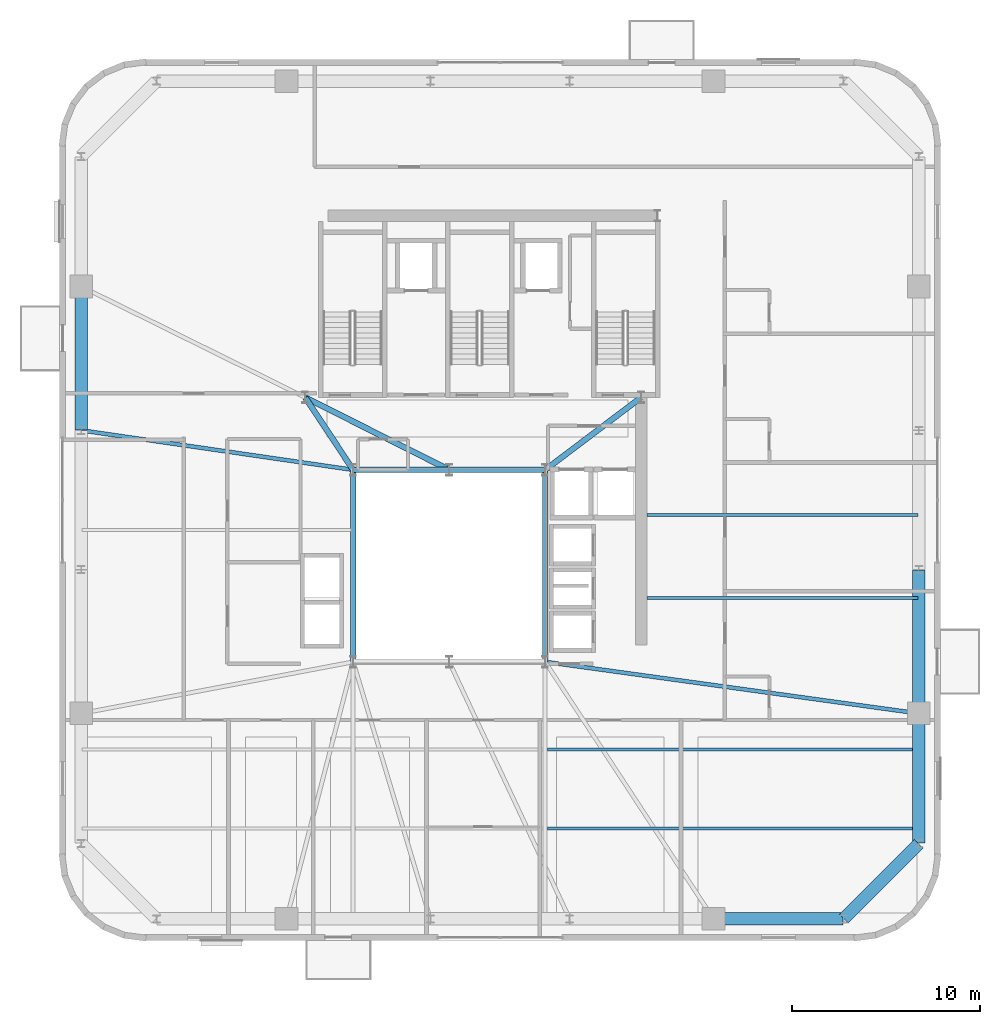
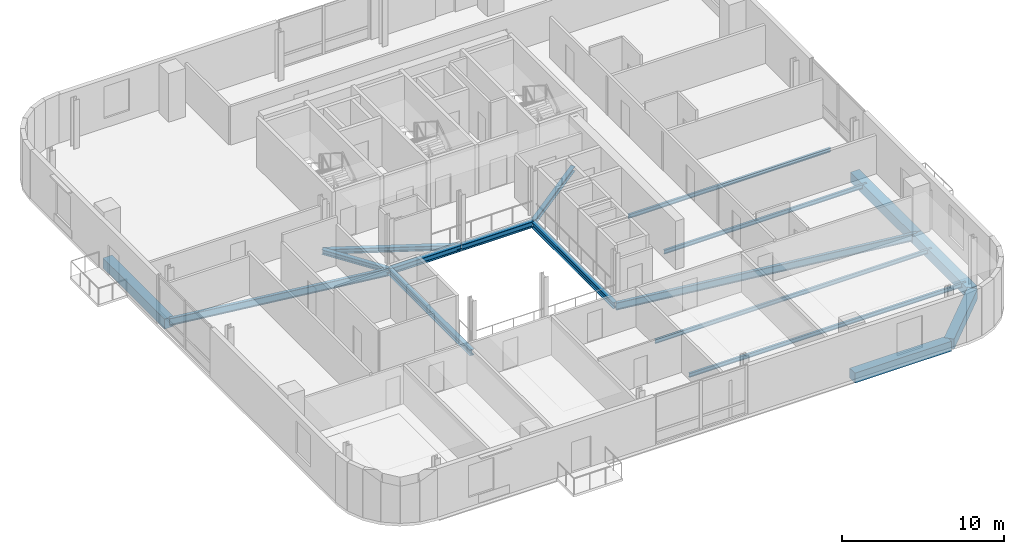
# One storey, part 4 of 15: 18 beams.
"""IFC4 building model written with IfcOpenShell, lengths in metres."""

from ifc_helpers import new_model, si_unit, direction, frame, origin, origin_2d, place, context, subcontext, project, spatial, rectangle, i_section, extrude, source, transform, mapped, material, material_profile, profile_set, type_object, element, save


model = new_model("IFC4")

# Units and contexts
model_context = context("Model", 3, precision=1e-05, world=origin(), true_north=direction((0.0, 1.0)))
body_context = subcontext(model_context, "Body", "Model", "MODEL_VIEW")
ifc_project = project(units=[si_unit("LENGTHUNIT", "METRE"), si_unit("AREAUNIT", "SQUARE_METRE"), si_unit("VOLUMEUNIT", "CUBIC_METRE"), si_unit("PLANEANGLEUNIT", "RADIAN"), si_unit("MASSUNIT", "GRAM", prefix="KILO")], contexts=[model_context])

# Site, building, storey
site_placement = place(None, origin())
site = spatial("IfcSite", under=ifc_project, at=site_placement, CompositionType="ELEMENT")
building_placement = place(site_placement, origin())
building = spatial("IfcBuilding", under=site, at=building_placement, Name="Vardaveli Station Tower", CompositionType="ELEMENT")
storey_placement = place(building_placement, frame((0.0, 0.0, 250.60009765625)))
storey = spatial("IfcBuildingStorey", under=building, at=storey_placement, Name="L64", CompositionType="ELEMENT", Elevation=250.60009765625)

# Beams
ifc_material_1 = material(Name="Structural steel S355J2", Category="steel")
ifc_material_profile_1 = material_profile(ifc_material_1, i_section(OverallWidth=0.300048828125, OverallDepth=0.449951171875, WebThickness=0.013916015625, FlangeThickness=0.02587890625, FilletRadius=0.027099609375, at=origin_2d()), Name="HEB 450")
ifc_profile_set_1 = profile_set([ifc_material_profile_1], Name="Structural steel S355J2")
beam_type_1 = type_object("IfcBeamType", Name="BM-HEB450", PredefinedType="BEAM", material=ifc_profile_set_1)
shared_shape_1 = source(origin(), body_context, "Body", "SweptSolid", [
    extrude(i_section(OverallWidth=0.300048828125, OverallDepth=0.449951171875, WebThickness=0.013916015625, FlangeThickness=0.02587890625, FilletRadius=0.027099609375, at=origin_2d()), origin(), (0.0, 0.0, 1.0), 5.06005859375),
])
beam_1_placement = place(storey_placement, frame((36.280029296875, 26.800048828125, -0.445068359375), z_axis=(-1.0, 0.0, 0.0), x_axis=(0.0, -1.0, 0.0)))
element("IfcBeam", 1, at=beam_1_placement, inside=storey, type_object=beam_type_1, Name="ABM-L64-05", PredefinedType="BEAM", context=body_context, shape_type="MappedRepresentation", body=[
    mapped(shared_shape_1, transform((0.0, 0.0, 0.0), scale=1.0)),
])
shared_shape_2 = source(origin(), body_context, "Body", "SweptSolid", [
    extrude(i_section(OverallWidth=0.300048828125, OverallDepth=0.449951171875, WebThickness=0.013916015625, FlangeThickness=0.02587890625, FilletRadius=0.027099609375, at=origin_2d()), origin(), (0.0, 0.0, 1.0), 5.059814453125),
])
beam_2_placement = place(storey_placement, frame((41.3798828125, 26.800048828125, -0.445068359375), z_axis=(-1.0, 0.0, 0.0), x_axis=(0.0, -1.0, 0.0)))
element("IfcBeam", 2, at=beam_2_placement, inside=storey, type_object=beam_type_1, Name="ABM-L64-04", PredefinedType="BEAM", context=body_context, shape_type="MappedRepresentation", body=[
    mapped(shared_shape_2, transform((0.0, 0.0, 0.0), scale=1.0)),
])
shared_shape_3 = source(origin(), body_context, "Body", "SweptSolid", [
    extrude(i_section(OverallWidth=0.300048828125, OverallDepth=0.449951171875, WebThickness=0.013916015625, FlangeThickness=0.02587890625, FilletRadius=0.027099609375, at=origin_2d()), origin(), (0.0, 0.0, 1.0), 10.159912109375),
])
for number, where, z_axis, x_axis, name in (
    (3, (41.39990234375, 16.6201171875, -0.445068359375), (0.0, 1.0, 0.0), (-1.0, 0.0, 0.0), "ABM-L64-03"),
    (4, (31.199951171875, 26.780029296875, -0.445068359375), (0.0, -1.0, 0.0), (1.0, 0.0, 0.0), "ABM-L64-06"),
):
    element("IfcBeam", number, at=place(storey_placement, frame(where, z_axis=z_axis, x_axis=x_axis)), inside=storey, type_object=beam_type_1, Name=name, PredefinedType="BEAM", context=body_context, shape_type="MappedRepresentation", body=[
        mapped(shared_shape_3, transform((0.0, 0.0, 0.0), scale=1.0)),
    ])
ifc_material_profile_2 = material_profile(ifc_material_1, i_section(OverallWidth=0.300048828125, OverallDepth=0.360107421875, WebThickness=0.012451171875, FlangeThickness=0.0224609375, FilletRadius=0.027099609375, at=origin_2d()), Name="HEB 360")
ifc_profile_set_2 = profile_set([ifc_material_profile_2], Name="Structural steel S355J2")
beam_type_2 = type_object("IfcBeamType", Name="BM-HEB360", PredefinedType="BEAM", material=ifc_profile_set_2)
shared_shape_4 = source(origin(), body_context, "Body", "SweptSolid", [
    extrude(i_section(OverallWidth=0.300048828125, OverallDepth=0.360107421875, WebThickness=0.012451171875, FlangeThickness=0.0224609375, FilletRadius=0.027099609375, at=origin_2d()), origin(), (0.0, 0.0, 1.0), 4.577880859375),
])
beam_3_placement = place(storey_placement, frame((31.18896484375, 26.816650390625, -0.400146484375), z_axis=(-0.55218702139, 0.833720272879, 0.0), x_axis=(-0.833720272879, -0.55218702139, 0.0)))
element("IfcBeam", 5, at=beam_3_placement, inside=storey, type_object=beam_type_2, Name="CBM-L64-01", PredefinedType="BEAM", context=body_context, shape_type="MappedRepresentation", body=[
    mapped(shared_shape_4, transform((0.0, 0.0, 0.0), scale=1.0)),
])
shared_shape_5 = source(origin(), body_context, "Body", "SweptSolid", [
    extrude(i_section(OverallWidth=0.300048828125, OverallDepth=0.360107421875, WebThickness=0.012451171875, FlangeThickness=0.0224609375, FilletRadius=0.027099609375, at=origin_2d()), origin(), (0.0, 0.0, 1.0), 6.35009765625),
])
beam_4_placement = place(storey_placement, frame((41.416015625, 26.81201171875, -0.400146484375), z_axis=(0.798118337722, 0.602500721154, 0.0), x_axis=(-0.602500721154, 0.798118337722, 0.0)))
element("IfcBeam", 6, at=beam_4_placement, inside=storey, type_object=beam_type_2, Name="CBM-L64-02", PredefinedType="BEAM", context=body_context, shape_type="MappedRepresentation", body=[
    mapped(shared_shape_5, transform((0.0, 0.0, 0.0), scale=1.0)),
])
shared_shape_6 = source(origin(), body_context, "Body", "SweptSolid", [
    extrude(i_section(OverallWidth=0.300048828125, OverallDepth=0.360107421875, WebThickness=0.012451171875, FlangeThickness=0.0224609375, FilletRadius=0.027099609375, at=origin_2d()), origin(), (0.0, 0.0, 1.0), 8.524169921875),
])
beam_5_placement = place(storey_placement, frame((28.66796875, 30.64111328125, -0.400146484375), z_axis=(0.893255584708, -0.449549174605, 0.0), x_axis=(0.449549174605, 0.893255584708, 0.0)))
element("IfcBeam", 7, at=beam_5_placement, inside=storey, type_object=beam_type_2, Name="CBM-L64-03", PredefinedType="BEAM", context=body_context, shape_type="MappedRepresentation", body=[
    mapped(shared_shape_6, transform((0.0, 0.0, 0.0), scale=1.0)),
])
ifc_material_2 = material(Name="Precast concrete C45/55", Category="concrete")
ifc_material_profile_3 = material_profile(ifc_material_2, rectangle(XDim=0.64990234375, YDim=0.75, at=origin_2d()), Name="LPB 650x750")
ifc_profile_set_3 = profile_set([ifc_material_profile_3], Name="Precast concrete C45/55")
beam_type_3 = type_object("IfcBeamType", Name="BM-LPB-750", PredefinedType="BEAM", material=ifc_profile_set_3)
shared_shape_7 = source(origin(), body_context, "Body", "SweptSolid", [
    extrude(rectangle(XDim=0.64990234375, YDim=0.75, at=origin_2d()), origin(), (0.0, 0.0, 1.0), 7.60009765625),
])
for number, where, z_axis, x_axis, name in (
    (8, (61.25, 13.8798828125, -0.59521484375), (0.0, 1.0, 0.0), (-1.0, 0.0, 0.0), "RBM-L64-07"),
    (9, (16.75, 36.52001953125, -0.59521484375), (0.0, -1.0, 0.0), (1.0, 0.0, 0.0), "RBM-L64-19"),
):
    element("IfcBeam", number, at=place(storey_placement, frame(where, z_axis=z_axis, x_axis=x_axis)), inside=storey, type_object=beam_type_3, Name=name, PredefinedType="BEAM", context=body_context, shape_type="MappedRepresentation", body=[
        mapped(shared_shape_7, transform((0.0, 0.0, 0.0), scale=1.0)),
    ])
shared_shape_8 = source(origin(), body_context, "Body", "SweptSolid", [
    extrude(rectangle(XDim=0.64990234375, YDim=0.75, at=origin_2d()), origin(), (0.0, 0.0, 1.0), 6.869873046875),
])
beam_6_placement = place(storey_placement, frame((50.360107421875, 2.949951171875, -0.59521484375), z_axis=(1.0, 0.0, 0.0), x_axis=(0.0, 1.0, 0.0)))
element("IfcBeam", 10, at=beam_6_placement, inside=storey, type_object=beam_type_3, Name="RBM-L64-04", PredefinedType="BEAM", context=body_context, shape_type="MappedRepresentation", body=[
    mapped(shared_shape_8, transform((0.0, 0.0, 0.0), scale=1.0)),
])
shared_shape_9 = source(origin(), body_context, "Body", "SweptSolid", [
    extrude(rectangle(XDim=0.64990234375, YDim=0.75, at=origin_2d()), origin(), (0.0, 0.0, 1.0), 5.61669921875),
])
beam_7_placement = place(storey_placement, frame((57.26416015625, 2.964111328125, -0.59521484375), z_axis=(0.707106781187, 0.707106781187, 0.0), x_axis=(-0.707106781187, 0.707106781187, 0.0)))
element("IfcBeam", 11, at=beam_7_placement, inside=storey, type_object=beam_type_3, Name="RBM-L64-05", PredefinedType="BEAM", context=body_context, shape_type="MappedRepresentation", body=[
    mapped(shared_shape_9, transform((0.0, 0.0, 0.0), scale=1.0)),
])
shared_shape_10 = source(origin(), body_context, "Body", "SweptSolid", [
    extrude(rectangle(XDim=0.64990234375, YDim=0.75, at=origin_2d()), origin(), (0.0, 0.0, 1.0), 6.8701171875),
])
beam_8_placement = place(storey_placement, frame((61.25, 6.969970703125, -0.59521484375), z_axis=(0.0, 1.0, 0.0), x_axis=(-1.0, 0.0, 0.0)))
element("IfcBeam", 12, at=beam_8_placement, inside=storey, type_object=beam_type_3, Name="RBM-L64-06", PredefinedType="BEAM", context=body_context, shape_type="MappedRepresentation", body=[
    mapped(shared_shape_10, transform((0.0, 0.0, 0.0), scale=1.0)),
])
ifc_material_profile_4 = material_profile(ifc_material_1, i_section(OverallWidth=0.2099609375, OverallDepth=0.550048828125, WebThickness=0.010986328125, FlangeThickness=0.01708984375, FilletRadius=0.02392578125, at=origin_2d()), Name="IPE 550")
ifc_profile_set_4 = profile_set([ifc_material_profile_4], Name="Structural steel S355J2")
beam_type_4 = type_object("IfcBeamType", Name="BM-IPE550", PredefinedType="BEAM", material=ifc_profile_set_4)
shared_shape_11 = source(origin(), body_context, "Body", "SweptSolid", [
    extrude(i_section(OverallWidth=0.2099609375, OverallDepth=0.550048828125, WebThickness=0.010986328125, FlangeThickness=0.01708984375, FilletRadius=0.02392578125, at=origin_2d()), origin(), (0.0, 0.0, 1.0), 19.998046875),
])
beam_9_placement = place(storey_placement, frame((61.230224609375, 13.86279296875, -0.4951171875), z_axis=(-0.9906081331, 0.136731586098, 0.0), x_axis=(-0.136731586098, -0.9906081331, 0.0)))
element("IfcBeam", 13, at=beam_9_placement, inside=storey, type_object=beam_type_4, Name="GBM-L64-05", PredefinedType="BEAM", context=body_context, shape_type="MappedRepresentation", body=[
    mapped(shared_shape_11, transform((0.0, 0.0, 0.0), scale=1.0)),
])
shared_shape_12 = source(origin(), body_context, "Body", "SweptSolid", [
    extrude(i_section(OverallWidth=0.2099609375, OverallDepth=0.550048828125, WebThickness=0.010986328125, FlangeThickness=0.01708984375, FilletRadius=0.02392578125, at=origin_2d()), origin(), (0.0, 0.0, 1.0), 14.561767578125),
])
beam_10_placement = place(storey_placement, frame((16.769775390625, 28.897216796875, -0.4951171875), z_axis=(0.989604234236, -0.143817452288, 0.0), x_axis=(0.143817452288, 0.989604234236, 0.0)))
element("IfcBeam", 14, at=beam_10_placement, inside=storey, type_object=beam_type_4, Name="GBM-L64-08", PredefinedType="BEAM", context=body_context, shape_type="MappedRepresentation", body=[
    mapped(shared_shape_12, transform((0.0, 0.0, 0.0), scale=1.0)),
])
ifc_material_profile_5 = material_profile(ifc_material_1, i_section(OverallWidth=0.14990234375, OverallDepth=0.300048828125, WebThickness=0.007080078125, FlangeThickness=0.0107421875, FilletRadius=0.014892578125, at=origin_2d()), Name="IPE 300")
ifc_profile_set_5 = profile_set([ifc_material_profile_5], Name="Structural steel S355J2")
beam_type_5 = type_object("IfcBeamType", Name="BM-IPE300", PredefinedType="JOIST", material=ifc_profile_set_5)
shared_shape_13 = source(origin(), body_context, "Body", "SweptSolid", [
    extrude(i_section(OverallWidth=0.14990234375, OverallDepth=0.300048828125, WebThickness=0.007080078125, FlangeThickness=0.0107421875, FilletRadius=0.014892578125, at=origin_2d()), origin(), (0.0, 0.0, 1.0), 19.697998046875),
])
for number, where, z_axis, x_axis, name in (
    (15, (41.511962890625, 7.75, -0.3701171875), (1.0, 0.0, 0.0), (0.0, 1.0, 0.0), "SJ-L64-S03"),
    (16, (41.511962890625, 11.949951171875, -0.3701171875), (1.0, 0.0, 0.0), (0.0, 1.0, 0.0), "SJ-L64-S06"),
):
    element("IfcBeam", number, at=place(storey_placement, frame(where, z_axis=z_axis, x_axis=x_axis)), inside=storey, type_object=beam_type_5, Name=name, PredefinedType="JOIST", context=body_context, shape_type="MappedRepresentation", body=[
        mapped(shared_shape_13, transform((0.0, 0.0, 0.0), scale=1.0)),
    ])
shared_shape_14 = source(origin(), body_context, "Body", "SweptSolid", [
    extrude(i_section(OverallWidth=0.14990234375, OverallDepth=0.300048828125, WebThickness=0.007080078125, FlangeThickness=0.0107421875, FilletRadius=0.014892578125, at=origin_2d()), origin(), (0.0, 0.0, 1.0), 14.405029296875),
])
for number, where, z_axis, x_axis, name in (
    (17, (46.804931640625, 20.0, -0.3701171875), (1.0, 0.0, 0.0), (0.0, 1.0, 0.0), "SJ-L64-E09"),
    (18, (46.804931640625, 24.39990234375, -0.3701171875), (1.0, 0.0, 0.0), (0.0, 1.0, 0.0), "SJ-L64-E10"),
):
    element("IfcBeam", number, at=place(storey_placement, frame(where, z_axis=z_axis, x_axis=x_axis)), inside=storey, type_object=beam_type_5, Name=name, PredefinedType="JOIST", context=body_context, shape_type="MappedRepresentation", body=[
        mapped(shared_shape_14, transform((0.0, 0.0, 0.0), scale=1.0)),
    ])

save(model, "model.ifc")
